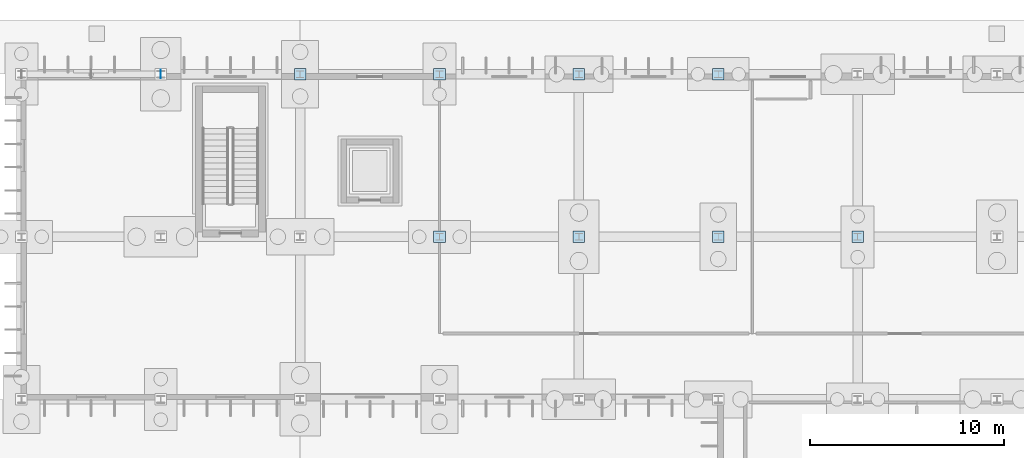
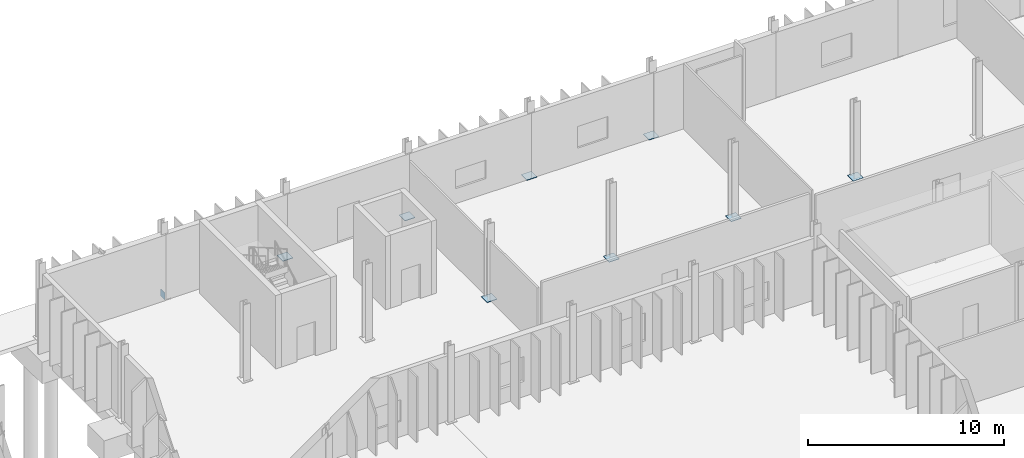
# One storey, part 83 of 118: 9 plates.
"""IFC4 building model written with IfcOpenShell, lengths in metres."""

from ifc_helpers import new_model, si_unit, direction, frame, origin, origin_2d, place, context, subcontext, project, spatial, rectangle, extrude, material, layer, layer_set, type_object, element, save


model = new_model("IFC4")

# Units and contexts
model_context = context("Model", 3, precision=1e-05, world=origin(), true_north=direction((0.0, 1.0)))
body_context = subcontext(model_context, "Body", "Model", "MODEL_VIEW")
ifc_project = project(units=[si_unit("LENGTHUNIT", "METRE"), si_unit("AREAUNIT", "SQUARE_METRE"), si_unit("VOLUMEUNIT", "CUBIC_METRE"), si_unit("PLANEANGLEUNIT", "RADIAN"), si_unit("MASSUNIT", "GRAM", prefix="KILO")], contexts=[model_context])

# Site, building, storey
site_placement = place(None, origin())
site = spatial("IfcSite", under=ifc_project, at=site_placement, CompositionType="ELEMENT")
building_placement = place(site_placement, origin())
building = spatial("IfcBuilding", under=site, at=building_placement, Name="Qelthora Terrace Specialist Clinic", CompositionType="ELEMENT")
storey_placement = place(building_placement, origin())
storey = spatial("IfcBuildingStorey", under=building, at=storey_placement, Name="L00", CompositionType="ELEMENT", Elevation=0.0)

# Plates
ifc_material = material(Name="Steel S355", Category="steel")
ifc_layer_1 = layer(ifc_material, 0.030029296875)
ifc_layer_set_1 = layer_set([ifc_layer_1], Name="Steel S355")
plate_type_1 = type_object("IfcPlateType", Name="PLT-BASE-600X600X30", PredefinedType="USERDEFINED", material=ifc_layer_set_1)
for number, where, z_axis, x_axis, name in (
    (1, (72.0, 109.199951171875, 0.0), (0.0, 0.0, 1.0), (1.0, 0.0, 0.0), "Steel column base plate BPLT-096"),
    (2, (79.199951171875, 100.800048828125, 0.0), (0.0, 0.0, 1.0), (1.0, 0.0, 0.0), "Steel column base plate BPLT-103"),
    (3, (79.199951171875, 109.199951171875, 0.0), (0.0, 0.0, 1.0), (1.0, 0.0, 0.0), "Steel column base plate BPLT-104"),
    (4, (86.39990234375, 100.800048828125, 0.0), (0.0, 0.0, 1.0), (1.0, 0.0, 0.0), "Steel column base plate BPLT-112"),
    (5, (86.39990234375, 109.199951171875, 0.0), (0.0, 0.0, 1.0), (1.0, 0.0, 0.0), "Steel column base plate BPLT-113"),
    (6, (93.60009765625, 100.800048828125, 0.0), (0.0, 0.0, 1.0), (1.0, 0.0, 0.0), "Steel column base plate BPLT-126"),
    (7, (93.60009765625, 109.199951171875, 0.0), (0.0, 0.0, 1.0), (1.0, 0.0, 0.0), "Steel column base plate BPLT-127"),
    (8, (100.800048828125, 100.800048828125, 0.0), (0.0, 0.0, 1.0), (1.0, 0.0, 0.0), "Steel column base plate BPLT-140"),
):
    element("IfcPlate", number, at=place(storey_placement, frame(where, z_axis=z_axis, x_axis=x_axis)), inside=storey, type_object=plate_type_1, Name=name, ObjectType="GUSSET PLATE", PredefinedType="USERDEFINED", context=body_context, shape_type="SweptSolid", body=[
        extrude(rectangle(XDim=0.60009765625, YDim=0.60009765625, at=origin_2d()), origin(), (0.0, 0.0, 1.0), 0.030029296875),
    ])
ifc_layer_2 = layer(ifc_material, 0.02001953125)
ifc_layer_set_2 = layer_set([ifc_layer_2], Name="Steel S355")
plate_type_2 = type_object("IfcPlateType", Name="PLT-GUS-480X480X20", PredefinedType="USERDEFINED", material=ifc_layer_set_2)
plate_placement = place(storey_placement, frame((64.800048828125, 109.199951171875, -0.0400390625), z_axis=(0.0, 0.0, 1.0), x_axis=(1.0, 0.0, 0.0)))
element("IfcPlate", 9, at=plate_placement, inside=storey, type_object=plate_type_2, Name="Steel truss node plate GPLT-0190", ObjectType="GUSSET PLATE", PredefinedType="USERDEFINED", context=body_context, shape_type="SweptSolid", body=[
    extrude(rectangle(XDim=0.02001953125, YDim=0.43994140625, at=origin_2d()), origin(), (0.0, 0.0, 1.0), 0.43994140625),
])

save(model, "model.ifc")
